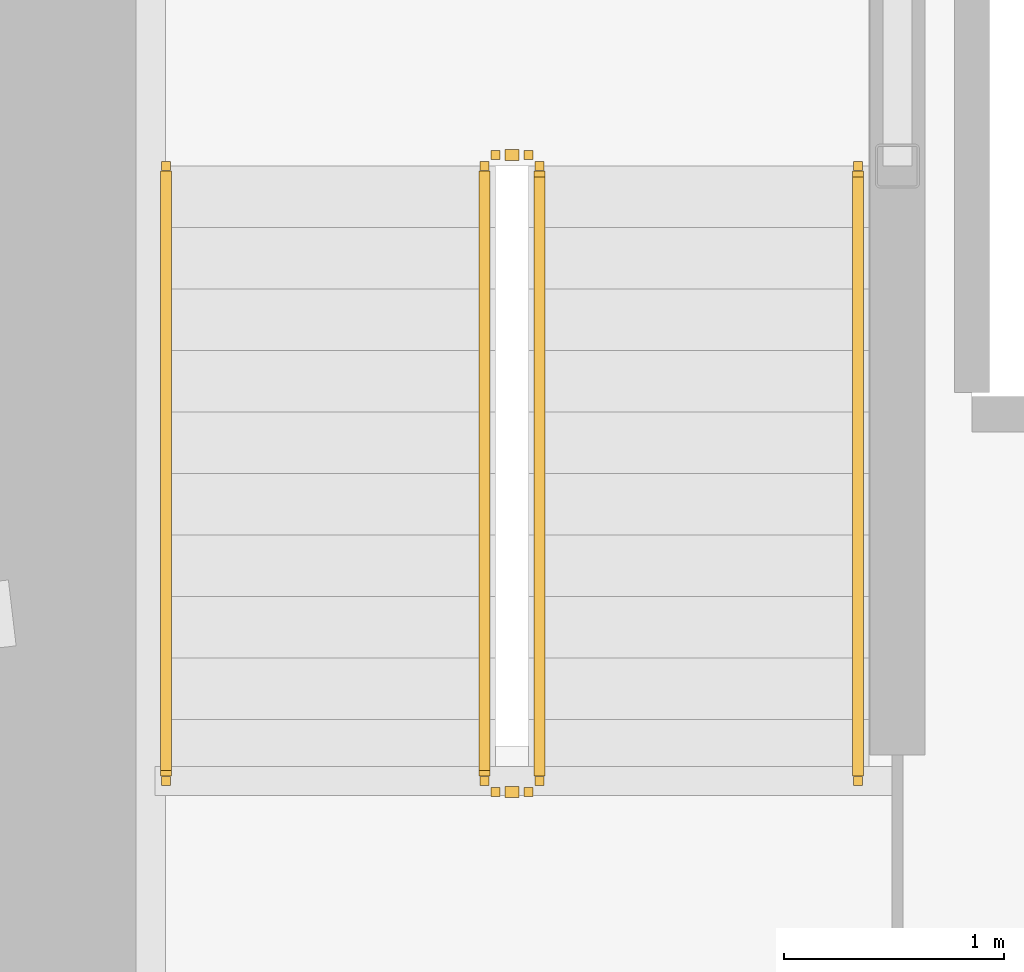
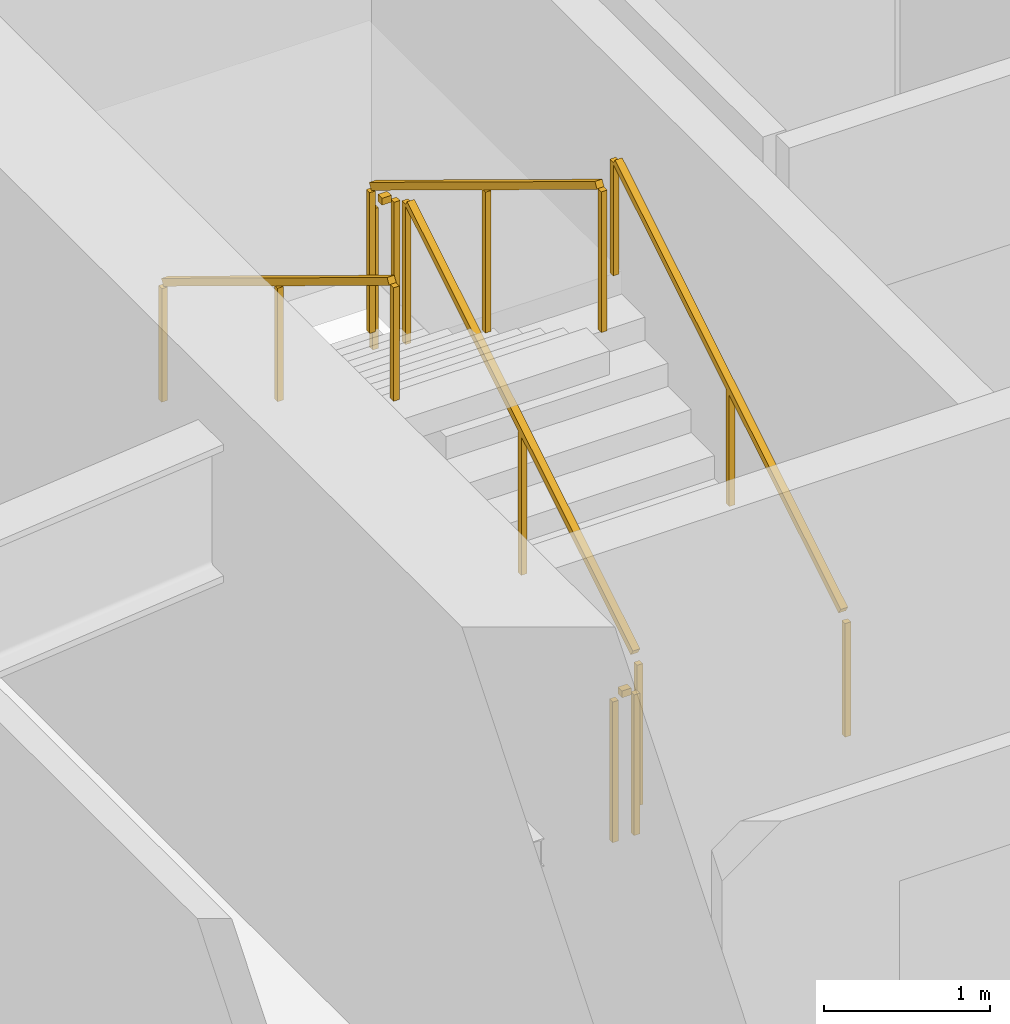
# One storey, part 16 of 19: 6 railings.
"""IFC4 building model written with IfcOpenShell, lengths in metres."""

from ifc_helpers import new_model, si_unit, direction, frame, origin, origin_2d, place, context, subcontext, project, spatial, rectangle, extrude, material, type_object, element, save


model = new_model("IFC4")

# Units and contexts
model_context = context("Model", 3, precision=1e-05, world=origin(), true_north=direction((0.0, 1.0)))
body_context = subcontext(model_context, "Body", "Model", "MODEL_VIEW")
ifc_project = project(units=[si_unit("LENGTHUNIT", "METRE"), si_unit("AREAUNIT", "SQUARE_METRE"), si_unit("VOLUMEUNIT", "CUBIC_METRE"), si_unit("PLANEANGLEUNIT", "RADIAN"), si_unit("MASSUNIT", "GRAM", prefix="KILO")], contexts=[model_context])

# Site, building, storey
site_placement = place(None, origin())
site = spatial("IfcSite", under=ifc_project, at=site_placement, CompositionType="ELEMENT")
building_placement = place(site_placement, origin())
building = spatial("IfcBuilding", under=site, at=building_placement, Name="Kazma Halo Residences", CompositionType="ELEMENT")
storey_placement = place(building_placement, frame((0.0, 0.0, 172.800048828125)))
storey = spatial("IfcBuildingStorey", under=building, at=storey_placement, Name="L43", CompositionType="ELEMENT", Elevation=172.800048828125)

# Railings
ifc_material_1 = material(Name="Painted Steel S355", Category="steel")
railing_type_1 = type_object("IfcRailingType", Name="RLG-STAIR-GRD-1100", PredefinedType="GUARDRAIL", material=ifc_material_1)
railing_1_placement = place(storey_placement, frame((39.550048828125, 39.949951171875, 0.17041015625)))
element("IfcRailing", 1, at=railing_1_placement, inside=storey, type_object=railing_type_1, Name="L43 ST-01 stair guard 1", PredefinedType="GUARDRAIL", context=body_context, shape_type="SweptSolid", body=[
    extrude(rectangle(XDim=0.050048828125, YDim=0.050048828125, at=origin_2d()), frame((0.0, 0.036376953125, 1.09716796875), z_axis=(0.0, 0.854169791009, 0.51999420009), x_axis=(-1.0, 0.0, 0.0)), (0.0, 0.0, 1.0), 3.193115234375),
    extrude(rectangle(XDim=0.0400390625, YDim=0.0400390625, at=origin_2d()), origin(), (0.0, 0.0, 1.0), 1.0380859375),
    extrude(rectangle(XDim=0.0400390625, YDim=0.0400390625, at=origin_2d()), frame((0.0, 1.39990234375, 0.852294921875)), (0.0, 0.0, 1.0), 1.0380859375),
    extrude(rectangle(XDim=0.0400390625, YDim=0.0400390625, at=origin_2d()), frame((0.0, 2.800048828125, 1.70458984375)), (0.0, 0.0, 1.0), 1.0380859375),
])
railing_2_placement = place(storey_placement, frame((39.5, 42.800048828125, 1.875)))
element("IfcRailing", 2, at=railing_2_placement, inside=storey, type_object=railing_type_1, Name="L43 ST-01 stair guard 2", PredefinedType="GUARDRAIL", context=body_context, shape_type="SweptSolid", body=[
    extrude(rectangle(XDim=0.050048828125, YDim=0.050048828125, at=origin_2d()), frame((-0.04248046875, 0.0, 1.0751953125), z_axis=(-1.0, 0.0, 0.0), x_axis=(0.0, -1.0, 0.0)), (0.0, 0.0, 1.0), 0.06494140625),
    extrude(rectangle(XDim=0.0400390625, YDim=0.0400390625, at=origin_2d()), origin(), (0.0, 0.0, 1.0), 1.0380859375),
    extrude(rectangle(XDim=0.0400390625, YDim=0.0400390625, at=origin_2d()), frame((-0.14990234375, 0.0, 0.0)), (0.0, 0.0, 1.0), 1.0380859375),
])
railing_3_placement = place(storey_placement, frame((39.300048828125, 42.75, 2.04541015625)))
element("IfcRailing", 3, at=railing_3_placement, inside=storey, type_object=railing_type_1, Name="L43 ST-01 stair guard 3", PredefinedType="GUARDRAIL", context=body_context, shape_type="SweptSolid", body=[
    extrude(rectangle(XDim=0.050048828125, YDim=0.050048828125, at=origin_2d()), frame((0.0, -0.036376953125, 1.09716796875), z_axis=(0.0, -0.854169791009, 0.51999420009), x_axis=(1.0, 0.0, 0.0)), (0.0, 0.0, 1.0), 3.193115234375),
    extrude(rectangle(XDim=0.0400390625, YDim=0.0400390625, at=origin_2d()), origin(), (0.0, 0.0, 1.0), 1.0380859375),
    extrude(rectangle(XDim=0.0400390625, YDim=0.0400390625, at=origin_2d()), frame((0.0, -1.39990234375, 0.852294921875)), (0.0, 0.0, 1.0), 1.0380859375),
    extrude(rectangle(XDim=0.0400390625, YDim=0.0400390625, at=origin_2d()), frame((0.0, -2.800048828125, 1.70458984375)), (0.0, 0.0, 1.0), 1.0380859375),
])
railing_4_placement = place(storey_placement, frame((39.5, 39.89990234375, 0.0)))
element("IfcRailing", 4, at=railing_4_placement, inside=storey, type_object=railing_type_1, Name="L43 ST-01 stair guard 4", PredefinedType="GUARDRAIL", context=body_context, shape_type="SweptSolid", body=[
    extrude(rectangle(XDim=0.050048828125, YDim=0.050048828125, at=origin_2d()), frame((-0.04248046875, 0.0, 1.0751953125), z_axis=(-1.0, 0.0, 0.0), x_axis=(0.0, -1.0, 0.0)), (0.0, 0.0, 1.0), 0.06494140625),
    extrude(rectangle(XDim=0.0400390625, YDim=0.0400390625, at=origin_2d()), origin(), (0.0, 0.0, 1.0), 1.0380859375),
    extrude(rectangle(XDim=0.0400390625, YDim=0.0400390625, at=origin_2d()), frame((-0.14990234375, 0.0, 0.0)), (0.0, 0.0, 1.0), 1.0380859375),
])
ifc_material_2 = material(Name="Brushed Stainless Steel", Category="steel")
railing_type_2 = type_object("IfcRailingType", Name="RLG-STAIR-HND-900", PredefinedType="HANDRAIL", material=ifc_material_2)
railing_5_placement = place(storey_placement, frame((41.0, 39.949951171875, 0.17041015625)))
element("IfcRailing", 5, at=railing_5_placement, inside=storey, type_object=railing_type_2, Name="L43 ST-01 stair handrail 1", PredefinedType="HANDRAIL", context=body_context, shape_type="SweptSolid", body=[
    extrude(rectangle(XDim=0.050048828125, YDim=0.050048828125, at=origin_2d()), frame((0.0, 0.036376953125, 0.89697265625), z_axis=(0.0, 0.854169791009, 0.51999420009), x_axis=(-1.0, 0.0, 0.0)), (0.0, 0.0, 1.0), 3.193115234375),
    extrude(rectangle(XDim=0.0400390625, YDim=0.0400390625, at=origin_2d()), origin(), (0.0, 0.0, 1.0), 0.837890625),
    extrude(rectangle(XDim=0.0400390625, YDim=0.0400390625, at=origin_2d()), frame((0.0, 1.39990234375, 0.852294921875)), (0.0, 0.0, 1.0), 0.837890625),
    extrude(rectangle(XDim=0.0400390625, YDim=0.0400390625, at=origin_2d()), frame((0.0, 2.800048828125, 1.70458984375)), (0.0, 0.0, 1.0), 0.837890625),
])
railing_6_placement = place(storey_placement, frame((37.85009765625, 42.75, 2.04541015625)))
element("IfcRailing", 6, at=railing_6_placement, inside=storey, type_object=railing_type_2, Name="L43 ST-01 stair handrail 2", PredefinedType="HANDRAIL", context=body_context, shape_type="SweptSolid", body=[
    extrude(rectangle(XDim=0.050048828125, YDim=0.050048828125, at=origin_2d()), frame((0.0, -0.036376953125, 0.89697265625), z_axis=(0.0, -0.854169791009, 0.51999420009), x_axis=(1.0, 0.0, 0.0)), (0.0, 0.0, 1.0), 3.193115234375),
    extrude(rectangle(XDim=0.0400390625, YDim=0.0400390625, at=origin_2d()), origin(), (0.0, 0.0, 1.0), 0.837890625),
    extrude(rectangle(XDim=0.0400390625, YDim=0.0400390625, at=origin_2d()), frame((0.0, -1.39990234375, 0.852294921875)), (0.0, 0.0, 1.0), 0.837890625),
    extrude(rectangle(XDim=0.0400390625, YDim=0.0400390625, at=origin_2d()), frame((0.0, -2.800048828125, 1.70458984375)), (0.0, 0.0, 1.0), 0.837890625),
])

save(model, "model.ifc")
